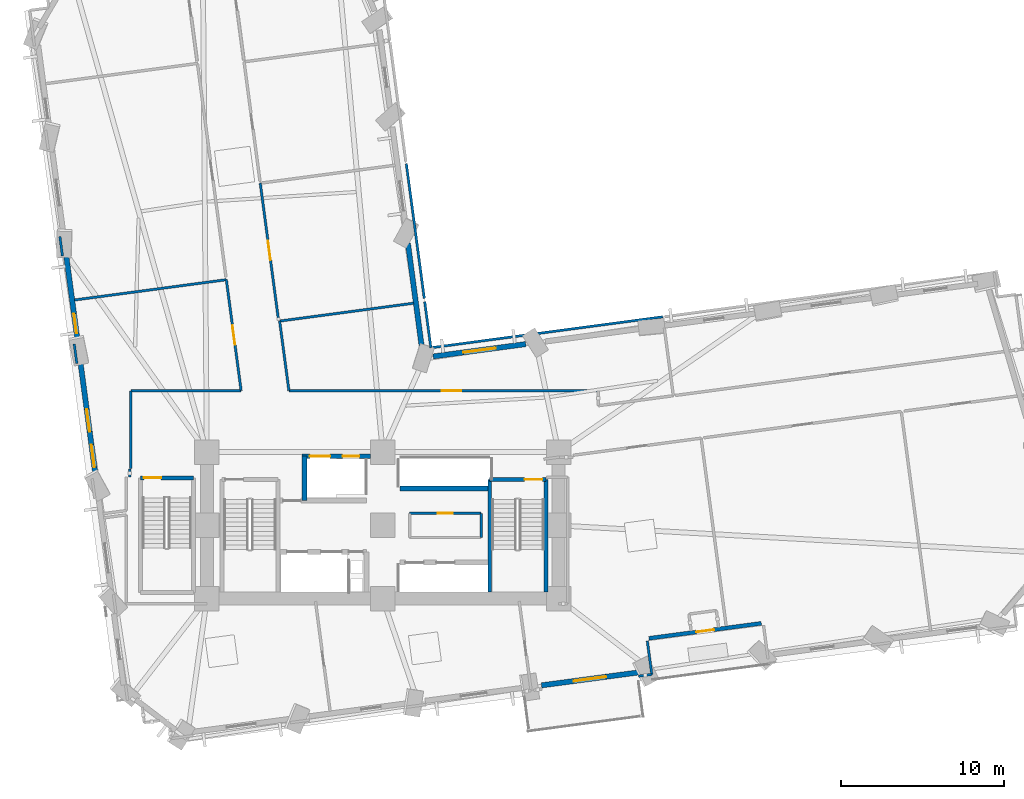
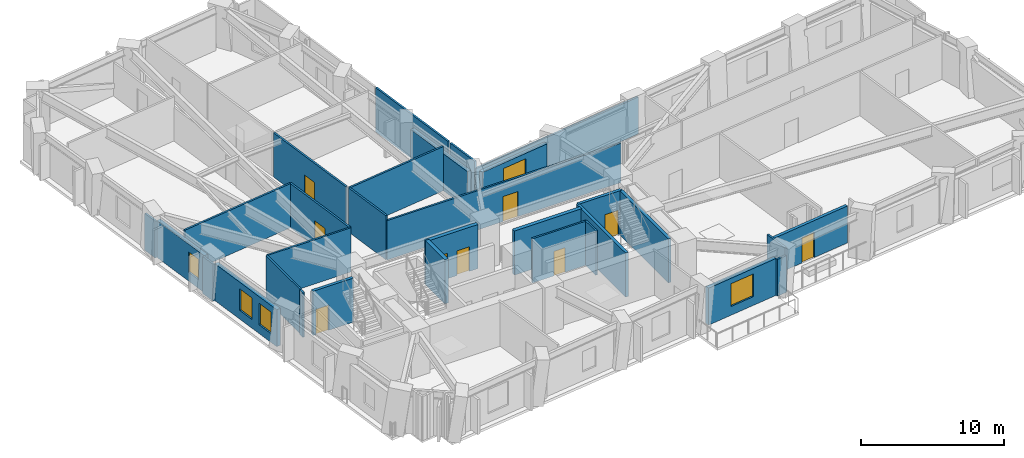
# One storey, part 7 of 14: 31 walls, 9 doors, 5 windows, 14 openings.
"""IFC4 building model written with IfcOpenShell, lengths in metres."""

from ifc_helpers import new_model, si_unit, direction, frame, frame_2d, origin, place, context, subcontext, project, spatial, rectangle, extrude, material, layer, layer_set, type_object, element, fill, save


model = new_model("IFC4")

# Units and contexts
model_context = context("Model", 3, precision=1e-05, world=origin(), true_north=direction((0.0, 1.0)))
body_context = subcontext(model_context, "Body", "Model", "MODEL_VIEW")
ifc_project = project(units=[si_unit("LENGTHUNIT", "METRE"), si_unit("AREAUNIT", "SQUARE_METRE"), si_unit("VOLUMEUNIT", "CUBIC_METRE"), si_unit("PLANEANGLEUNIT", "RADIAN"), si_unit("MASSUNIT", "GRAM", prefix="KILO")], contexts=[model_context])

# Site, building, storey
site_placement = place(None, origin())
site = spatial("IfcSite", under=ifc_project, at=site_placement, CompositionType="ELEMENT")
building_placement = place(site_placement, origin())
building = spatial("IfcBuilding", under=site, at=building_placement, Name="Gaonmaruhae Medical Tower", CompositionType="ELEMENT")
storey_placement = place(building_placement, frame((0.0, 0.0, 55.0)))
storey = spatial("IfcBuildingStorey", under=building, at=storey_placement, Name="L12", CompositionType="ELEMENT", Elevation=55.0)

# Wall, opening, door
ifc_material_1 = material(Name="Precast concrete C45/55", Category="concrete")
ifc_layer_1 = layer(ifc_material_1, 0.239990234375)
ifc_layer_set_1 = layer_set([ifc_layer_1], Name="Precast concrete C45/55")
wall_type_1 = type_object("IfcWallType", Name="EW-240 Ribbon & Shelter Insulated Precast Wall", PredefinedType="SOLIDWALL", material=ifc_layer_set_1)
wall_1_placement = place(storey_placement, frame((48.047119140625, 6.2880859375, 0.0), z_axis=(0.0, 0.0, 1.0), x_axis=(-0.991216868142, -0.132246437799, 0.0)))
wall_1 = element("IfcWall", 1, at=wall_1_placement, inside=storey, type_object=wall_type_1, Name="L12 Recessed Terrace Enclosure Wall TERB", PredefinedType="SOLIDWALL", context=body_context, shape_type="SweptSolid", body=[
    extrude(rectangle(XDim=6.959716796875, YDim=0.239990234375, at=frame_2d((3.47998046875, 0.0))), origin(), (0.0, 0.0, 1.0), 3.1650390625),
])
opening_1_placement = place(wall_1_placement, frame((2.929931640625, 0.0, 0.0)))
opening_1 = element("IfcOpeningElement", 2, at=opening_1_placement, cuts=wall_1, Name="Opening TD-01", PredefinedType="OPENING", context=body_context, shape_type="SweptSolid", body=[
    extrude(rectangle(XDim=1.10009765625, YDim=2.14990234375, at=frame_2d((0.550048828125, 1.074951171875))), frame((0.0, 0.1298828125, 0.0), z_axis=(0.0, -1.0, 0.0), x_axis=(1.0, 0.0, 0.0)), (0.0, 0.0, 1.0), 0.260009765625),
])
ifc_material_2 = material(Name="Anodised aluminium and toughened safety glass", Category="aluminium")
door_type_1 = type_object("IfcDoorType", Name="TD-01 Terrace & Sky Garden Glazed Door 1100x2150", OperationType="NOTDEFINED", PredefinedType="DOOR", material=ifc_material_2)
door_1_placement = place(opening_1_placement, origin())
door_1 = element("IfcDoor", 3, at=door_1_placement, inside=storey, type_object=door_type_1, Name="L12 Outdoor Terrace Access Door SLB-L12-TER", OperationType="SINGLE_SWING_RIGHT", OverallHeight=2.14990234375, OverallWidth=1.10009765625, PredefinedType="DOOR", context=body_context, shape_type="SweptSolid", body=[
    extrude(rectangle(XDim=1.10009765625, YDim=2.14990234375, at=frame_2d((0.550048828125, 1.074951171875))), frame((0.0, 0.02490234375, 0.0), z_axis=(0.0, -1.0, 0.0), x_axis=(1.0, 0.0, 0.0)), (0.0, 0.0, 1.0), 0.050048828125),
])
fill(opening_1, door_1)

# Wall, opening, window
ifc_layer_2 = layer(ifc_material_1, 0.320068359375)
ifc_layer_set_2 = layer_set([ifc_layer_2], Name="Precast concrete C45/55")
wall_type_2 = type_object("IfcWallType", Name="EW-320 Lower Precast Masonry-Frame Facade Wall", PredefinedType="SOLIDWALL", material=ifc_layer_set_2)
wall_2_placement = place(storey_placement, frame((40.485107421875, 3.271484375, 0.0), z_axis=(0.0, 0.0, 1.0), x_axis=(-0.991217209888, -0.132243876315, 0.0)))
wall_2 = element("IfcWall", 4, at=wall_2_placement, inside=storey, type_object=wall_type_2, Name="L12 Precast Masonry-Frame Wall S04-S05", PredefinedType="SOLIDWALL", context=body_context, shape_type="SweptSolid", body=[
    extrude(rectangle(XDim=5.985107421875, YDim=0.320068359375, at=frame_2d((2.99267578125, 0.0))), origin(), (0.0, 0.0, 1.0), 3.1650390625),
])
opening_2_placement = place(wall_2_placement, frame((1.992919921875, 0.0, 0.75)))
opening_2 = element("IfcOpeningElement", 5, at=opening_2_placement, cuts=wall_2, Name="Opening WN-02", PredefinedType="OPENING", context=body_context, shape_type="SweptSolid", body=[
    extrude(rectangle(XDim=2.0, YDim=1.949951171875, at=frame_2d((1.0, 0.97509765625))), frame((0.0, 0.169921875, 0.0), z_axis=(0.0, -1.0, 0.0), x_axis=(1.0, 0.0, 0.0)), (0.0, 0.0, 1.0), 0.340087890625),
])
ifc_material_3 = material(Name="Anodised aluminium and Low-E double glazing", Category="aluminium")
window_type_1 = type_object("IfcWindowType", Name="WN-02 Double-Bed Ward Punched Window 2000x1950", PartitioningType="SINGLE_PANEL", PredefinedType="WINDOW", material=ifc_material_3)
window_1_placement = place(opening_2_placement, origin())
window_1 = element("IfcWindow", 6, at=window_1_placement, inside=storey, type_object=window_type_1, Name="L12 Modular Facade Window S04", OverallHeight=1.949951171875, OverallWidth=2.0, PartitioningType="SINGLE_PANEL", PredefinedType="WINDOW", context=body_context, shape_type="SweptSolid", body=[
    extrude(rectangle(XDim=2.0, YDim=1.949951171875, at=frame_2d((1.0, 0.97509765625))), frame((0.0, 0.030029296875, 0.0), z_axis=(0.0, -1.0, 0.0), x_axis=(1.0, 0.0, 0.0)), (0.0, 0.0, 1.0), 0.06005859375),
])
fill(opening_2, window_1)

wall_3_placement = place(storey_placement, frame((27.897705078125, 22.67724609375, 0.0), z_axis=(0.0, 0.0, 1.0), x_axis=(0.991217861457, 0.132238992466, 0.0)))
wall_3 = element("IfcWall", 7, at=wall_3_placement, inside=storey, type_object=wall_type_2, Name="L12 Precast Masonry-Frame Wall EN04-KN01", PredefinedType="SOLIDWALL", context=body_context, shape_type="SweptSolid", body=[
    extrude(rectangle(XDim=5.736083984375, YDim=0.320068359375, at=frame_2d((2.8681640625, 0.0))), origin(), (0.0, 0.0, 1.0), 3.1650390625),
])
opening_3_placement = place(wall_3_placement, frame((1.86865234375, 0.0, 0.75)))
opening_3 = element("IfcOpeningElement", 8, at=opening_3_placement, cuts=wall_3, Name="Opening WN-02", PredefinedType="OPENING", context=body_context, shape_type="SweptSolid", body=[
    extrude(rectangle(XDim=2.0, YDim=1.949951171875, at=frame_2d((1.0, 0.97509765625))), frame((0.0, 0.169921875, 0.0), z_axis=(0.0, -1.0, 0.0), x_axis=(1.0, 0.0, 0.0)), (0.0, 0.0, 1.0), 0.340087890625),
])
window_2_placement = place(opening_3_placement, origin())
window_2 = element("IfcWindow", 9, at=window_2_placement, inside=storey, type_object=window_type_1, Name="L12 Modular Facade Window EN04", OverallHeight=1.949951171875, OverallWidth=2.0, PartitioningType="SINGLE_PANEL", PredefinedType="WINDOW", context=body_context, shape_type="SweptSolid", body=[
    extrude(rectangle(XDim=2.0, YDim=1.949951171875, at=frame_2d((1.0, 0.97509765625))), frame((0.0, 0.030029296875, 0.0), z_axis=(0.0, -1.0, 0.0), x_axis=(1.0, 0.0, 0.0)), (0.0, 0.0, 1.0), 0.06005859375),
])
fill(opening_3, window_2)

# Wall
wall_4_placement = place(storey_placement, frame((27.212890625, 23.144287109375, 0.0), z_axis=(0.0, 0.0, 1.0), x_axis=(-0.132264032009, 0.991214520594, 0.0)))
element("IfcWall", 10, at=wall_4_placement, inside=storey, type_object=wall_type_2, Name="L12 Precast Masonry-Frame Wall KN01-NE01", PredefinedType="SOLIDWALL", context=body_context, shape_type="SweptSolid", body=[
    extrude(rectangle(XDim=6.5361328125, YDim=0.320068359375, at=frame_2d((3.26806640625, 0.0))), origin(), (0.0, 0.0, 1.0), 3.1650390625),
])

# Wall, opening, window
wall_5_placement = place(storey_placement, frame((6.0830078125, 23.47900390625, 0.0), z_axis=(0.0, 0.0, 1.0), x_axis=(-0.132257820525, 0.991215349412, 0.0)))
wall_5 = element("IfcWall", 11, at=wall_5_placement, inside=storey, type_object=wall_type_2, Name="L12 Precast Masonry-Frame Wall W03-W04", PredefinedType="SOLIDWALL", context=body_context, shape_type="SweptSolid", body=[
    extrude(rectangle(XDim=5.438232421875, YDim=0.320068359375, at=frame_2d((2.71923828125, 0.0))), origin(), (0.0, 0.0, 1.0), 3.1650390625),
])
opening_4_placement = place(wall_5_placement, frame((0.6298828125, 0.0, 0.75)))
opening_4 = element("IfcOpeningElement", 12, at=opening_4_placement, cuts=wall_5, Name="Opening WN-05", PredefinedType="OPENING", context=body_context, shape_type="SweptSolid", body=[
    extrude(rectangle(XDim=1.199951171875, YDim=1.75, at=frame_2d((0.60009765625, 0.875))), frame((0.0, 0.169921875, 0.0), z_axis=(0.0, -1.0, 0.0), x_axis=(1.0, 0.0, 0.0)), (0.0, 0.0, 1.0), 0.340087890625),
])
window_type_2 = type_object("IfcWindowType", Name="WN-05 Support & Staff Punched Window 1200x1750", PartitioningType="SINGLE_PANEL", PredefinedType="WINDOW", material=ifc_material_3)
window_3_placement = place(opening_4_placement, origin())
window_3 = element("IfcWindow", 13, at=window_3_placement, inside=storey, type_object=window_type_2, Name="L12 Modular Facade Window W03", OverallHeight=1.75, OverallWidth=1.199951171875, PartitioningType="SINGLE_PANEL", PredefinedType="WINDOW", context=body_context, shape_type="SweptSolid", body=[
    extrude(rectangle(XDim=1.199951171875, YDim=1.75, at=frame_2d((0.60009765625, 0.875))), frame((0.0, 0.030029296875, 0.0), z_axis=(0.0, -1.0, 0.0), x_axis=(1.0, 0.0, 0.0)), (0.0, 0.0, 1.0), 0.06005859375),
])
fill(opening_4, window_3)

# Wall, openings, windows
wall_6_placement = place(storey_placement, frame((7.1875, 15.20068359375, 0.0), z_axis=(0.0, 0.0, 1.0), x_axis=(-0.132257835748, 0.991215347381, 0.0)))
wall_6 = element("IfcWall", 14, at=wall_6_placement, inside=storey, type_object=wall_type_2, Name="L12 Precast Masonry-Frame Wall W04-W05", PredefinedType="SOLIDWALL", context=body_context, shape_type="SweptSolid", body=[
    extrude(rectangle(XDim=7.136474609375, YDim=0.320068359375, at=frame_2d((3.568359375, 0.0))), origin(), (0.0, 0.0, 1.0), 3.1650390625),
])
opening_5_placement = place(wall_6_placement, frame((2.86865234375, 0.0, 0.75)))
opening_5 = element("IfcOpeningElement", 15, at=opening_5_placement, cuts=wall_6, Name="Opening WN-03", PredefinedType="OPENING", context=body_context, shape_type="SweptSolid", body=[
    extrude(rectangle(XDim=1.39990234375, YDim=1.85009765625, at=frame_2d((0.699951171875, 0.925048828125))), frame((0.0, 0.169921875, 0.0), z_axis=(0.0, -1.0, 0.0), x_axis=(1.0, 0.0, 0.0)), (0.0, 0.0, 1.0), 0.340087890625),
])
opening_6_placement = place(wall_6_placement, frame((0.669921875, 0.0, 0.75)))
opening_6 = element("IfcOpeningElement", 16, at=opening_6_placement, cuts=wall_6, Name="Opening WN-03", PredefinedType="OPENING", context=body_context, shape_type="SweptSolid", body=[
    extrude(rectangle(XDim=1.39990234375, YDim=1.85009765625, at=frame_2d((0.699951171875, 0.925048828125))), frame((0.0, 0.169921875, 0.0), z_axis=(0.0, -1.0, 0.0), x_axis=(1.0, 0.0, 0.0)), (0.0, 0.0, 1.0), 0.340087890625),
])
window_type_3 = type_object("IfcWindowType", Name="WN-03 Isolation Ward Punched Window 1400x1850", PartitioningType="SINGLE_PANEL", PredefinedType="WINDOW", material=ifc_material_3)
window_4_placement = place(opening_5_placement, origin())
window_4 = element("IfcWindow", 17, at=window_4_placement, inside=storey, type_object=window_type_3, Name="L12 Modular Facade Window W04", OverallHeight=1.85009765625, OverallWidth=1.39990234375, PartitioningType="SINGLE_PANEL", PredefinedType="WINDOW", context=body_context, shape_type="SweptSolid", body=[
    extrude(rectangle(XDim=1.39990234375, YDim=1.85009765625, at=frame_2d((0.699951171875, 0.925048828125))), frame((0.0, 0.030029296875, 0.0), z_axis=(0.0, -1.0, 0.0), x_axis=(1.0, 0.0, 0.0)), (0.0, 0.0, 1.0), 0.06005859375),
])
fill(opening_5, window_4)
window_5_placement = place(opening_6_placement, origin())
window_5 = element("IfcWindow", 18, at=window_5_placement, inside=storey, type_object=window_type_3, Name="L12 Modular Facade Window W04B", OverallHeight=1.85009765625, OverallWidth=1.39990234375, PartitioningType="SINGLE_PANEL", PredefinedType="WINDOW", context=body_context, shape_type="SweptSolid", body=[
    extrude(rectangle(XDim=1.39990234375, YDim=1.85009765625, at=frame_2d((0.699951171875, 0.925048828125))), frame((0.0, 0.030029296875, 0.0), z_axis=(0.0, -1.0, 0.0), x_axis=(1.0, 0.0, 0.0)), (0.0, 0.0, 1.0), 0.06005859375),
])
fill(opening_6, window_5)

# Wall, opening, door
ifc_material_4 = material(Name="Gypsum board partition", Category="gypsum")
ifc_layer_3 = layer(ifc_material_4, 0.14990234375)
ifc_layer_set_3 = layer_set([ifc_layer_3], Name="Gypsum board partition")
wall_type_3 = type_object("IfcWallType", Name="PW-150 Rated Clinical Corridor Partition", PredefinedType="PARTITIONING", material=ifc_layer_set_3)
wall_7_placement = place(storey_placement, frame((26.449951171875, 13.0400390625, 0.0), z_axis=(0.0, 0.0, 1.0), x_axis=(1.0, 0.0, 0.0)))
wall_7 = element("IfcWall", 19, at=wall_7_placement, inside=storey, type_object=wall_type_3, Name="L12 Interior Partition L12-CS1-2", PredefinedType="PARTITIONING", context=body_context, shape_type="SweptSolid", body=[
    extrude(rectangle(XDim=4.400146484375, YDim=0.14990234375, at=frame_2d((2.2001953125, 0.0))), origin(), (0.0, 0.0, 1.0), 3.780029296875),
])
opening_7_placement = place(wall_7_placement, frame((1.739990234375, 0.0, 0.0)))
opening_7 = element("IfcOpeningElement", 20, at=opening_7_placement, cuts=wall_7, Name="Opening UD-01", PredefinedType="OPENING", context=body_context, shape_type="SweptSolid", body=[
    extrude(rectangle(XDim=0.919921875, YDim=2.10009765625, at=frame_2d((0.4599609375, 1.050048828125))), frame((0.0, 0.0849609375, 0.0), z_axis=(0.0, -1.0, 0.0), x_axis=(1.0, 0.0, 0.0)), (0.0, 0.0, 1.0), 0.169921875),
])
ifc_material_5 = material(Name="Powder-coated steel utility door", Category="steel")
door_type_2 = type_object("IfcDoorType", Name="UD-01 Toilet, Utility & Housekeeping Door 920x2100", OperationType="NOTDEFINED", PredefinedType="DOOR", material=ifc_material_5)
door_2_placement = place(opening_7_placement, origin())
door_2 = element("IfcDoor", 21, at=door_2_placement, inside=storey, type_object=door_type_2, Name="L12 Clean Linen Utility Store Door", OperationType="SINGLE_SWING_RIGHT", OverallHeight=2.10009765625, OverallWidth=0.919921875, PredefinedType="DOOR", context=body_context, shape_type="SweptSolid", body=[
    extrude(rectangle(XDim=0.919921875, YDim=2.10009765625, at=frame_2d((0.4599609375, 1.050048828125))), frame((0.0, 0.02490234375, 0.0), z_axis=(0.0, -1.0, 0.0), x_axis=(1.0, 0.0, 0.0)), (0.0, 0.0, 1.0), 0.050048828125),
])
fill(opening_7, door_2)

# Walls
wall_8_placement = place(storey_placement, frame((30.85009765625, 13.0400390625, 0.0), z_axis=(0.0, 0.0, 1.0), x_axis=(0.0, -1.0, 0.0)))
element("IfcWall", 22, at=wall_8_placement, inside=storey, type_object=wall_type_3, Name="L12 Interior Partition L12-CS1-3", PredefinedType="PARTITIONING", context=body_context, shape_type="SweptSolid", body=[
    extrude(rectangle(XDim=1.47998046875, YDim=0.14990234375, at=frame_2d((0.739990234375, 0.0))), origin(), (0.0, 0.0, 1.0), 3.780029296875),
])
wall_9_placement = place(storey_placement, frame((41.048095703125, 5.212890625, 0.0), z_axis=(0.0, 0.0, 1.0), x_axis=(0.132148345288, -0.991229950535, 0.0)))
element("IfcWall", 23, at=wall_9_placement, inside=storey, type_object=wall_type_3, Name="L12 Interior Partition L12-SUP03-29", PredefinedType="PARTITIONING", context=body_context, shape_type="SweptSolid", body=[
    extrude(rectangle(XDim=2.080322265625, YDim=0.14990234375, at=frame_2d((1.0400390625, 0.0))), origin(), (0.0, 0.0, 1.0), 3.780029296875),
])
wall_10_placement = place(storey_placement, frame((41.322998046875, 3.15087890625, 0.0), z_axis=(0.0, 0.0, 1.0), x_axis=(-0.991175438227, -0.132556594159, 0.0)))
element("IfcWall", 24, at=wall_10_placement, inside=storey, type_object=wall_type_3, Name="L12 Interior Partition L12-SUP03-30", PredefinedType="PARTITIONING", context=body_context, shape_type="SweptSolid", body=[
    extrude(rectangle(XDim=0.81396484375, YDim=0.14990234375, at=frame_2d((0.406982421875, 0.0))), origin(), (0.0, 0.0, 1.0), 3.14501953125),
])
wall_11_placement = place(storey_placement, frame((9.320068359375, 20.550048828125, 0.0), z_axis=(0.0, 0.0, 1.0), x_axis=(0.0, -1.0, 0.0)))
element("IfcWall", 25, at=wall_11_placement, inside=storey, type_object=wall_type_3, Name="L12 Interior Partition L12-WOF06-46", PredefinedType="PARTITIONING", context=body_context, shape_type="SweptSolid", body=[
    extrude(rectangle(XDim=4.760009765625, YDim=0.14990234375, at=frame_2d((2.3798828125, 0.0))), origin(), (0.0, 0.0, 1.0), 3.780029296875),
])
wall_12_placement = place(storey_placement, frame((9.260009765625, 15.758056640625, 0.0), z_axis=(0.0, 0.0, 1.0), x_axis=(0.0, -1.0, 0.0)))
element("IfcWall", 26, at=wall_12_placement, inside=storey, type_object=wall_type_3, Name="L12 Interior Partition L12-WOF06-47", PredefinedType="PARTITIONING", context=body_context, shape_type="SweptSolid", body=[
    extrude(rectangle(XDim=0.498046875, YDim=0.14990234375, at=frame_2d((0.2490234375, 0.0))), origin(), (0.0, 0.0, 1.0), 3.780029296875),
])
wall_13_placement = place(storey_placement, frame((6.01611328125, 22.243896484375, 0.0), z_axis=(0.0, 0.0, 1.0), x_axis=(-0.132532001564, 0.991178726851, 0.0)))
element("IfcWall", 27, at=wall_13_placement, inside=storey, type_object=wall_type_3, Name="L12 Interior Partition L12-WOF06-51", PredefinedType="PARTITIONING", context=body_context, shape_type="SweptSolid", body=[
    extrude(rectangle(XDim=1.2158203125, YDim=0.14990234375, at=frame_2d((0.60791015625, 0.0))), origin(), (0.0, 0.0, 1.0), 3.1650390625),
])
wall_14_placement = place(storey_placement, frame((5.864013671875, 26.14306640625, 0.0), z_axis=(0.0, 0.0, 1.0), x_axis=(0.991205918813, 0.132328479586, 0.0)))
element("IfcWall", 28, at=wall_14_placement, inside=storey, type_object=wall_type_3, Name="L12 Interior Partition L12-WOF06-52", PredefinedType="PARTITIONING", context=body_context, shape_type="SweptSolid", body=[
    extrude(rectangle(XDim=9.414794921875, YDim=0.14990234375, at=frame_2d((4.70751953125, 0.0))), origin(), (0.0, 0.0, 1.0), 3.780029296875),
])

# Wall, opening, door
wall_15_placement = place(storey_placement, frame((15.196044921875, 27.388916015625, 0.0), z_axis=(0.0, 0.0, 1.0), x_axis=(0.132180016539, -0.991225727687, 0.0)))
wall_15 = element("IfcWall", 29, at=wall_15_placement, inside=storey, type_object=wall_type_3, Name="L12 Interior Partition L12-WOF06-53", PredefinedType="PARTITIONING", context=body_context, shape_type="SweptSolid", body=[
    extrude(rectangle(XDim=6.869140625, YDim=0.14990234375, at=frame_2d((3.4345703125, 0.0))), origin(), (0.0, 0.0, 1.0), 3.780029296875),
])
opening_8_placement = place(wall_15_placement, frame((2.834716796875, 0.0, 0.0)))
opening_8 = element("IfcOpeningElement", 30, at=opening_8_placement, cuts=wall_15, Name="Opening CD-02", PredefinedType="OPENING", context=body_context, shape_type="SweptSolid", body=[
    extrude(rectangle(XDim=1.199951171875, YDim=2.14990234375, at=frame_2d((0.60009765625, 1.074951171875))), frame((0.0, 0.0849609375, 0.0), z_axis=(0.0, -1.0, 0.0), x_axis=(1.0, 0.0, 0.0)), (0.0, 0.0, 1.0), 0.169921875),
])
ifc_material_6 = material(Name="Antimicrobial laminate timber fire door", Category="wood")
door_type_3 = type_object("IfcDoorType", Name="CD-02 Clinical Treatment & Procedure Door 1200x2150", OperationType="NOTDEFINED", PredefinedType="DOOR", material=ifc_material_6)
door_3_placement = place(opening_8_placement, origin())
door_3 = element("IfcDoor", 31, at=door_3_placement, inside=storey, type_object=door_type_3, Name="L12 Ward Physician Reporting Office Door", OperationType="SINGLE_SWING_LEFT", OverallHeight=2.14990234375, OverallWidth=1.199951171875, PredefinedType="DOOR", context=body_context, shape_type="SweptSolid", body=[
    extrude(rectangle(XDim=1.199951171875, YDim=2.14990234375, at=frame_2d((0.60009765625, 1.074951171875))), frame((0.0, 0.02490234375, 0.0), z_axis=(0.0, -1.0, 0.0), x_axis=(1.0, 0.0, 0.0)), (0.0, 0.0, 1.0), 0.050048828125),
])
fill(opening_8, door_3)

# Walls
wall_16_placement = place(storey_placement, frame((16.10400390625, 20.580078125, 0.0), z_axis=(0.0, 0.0, 1.0), x_axis=(-1.0, 0.0, 0.0)))
element("IfcWall", 32, at=wall_16_placement, inside=storey, type_object=wall_type_3, Name="L12 Interior Partition L12-WOF06-54", PredefinedType="PARTITIONING", context=body_context, shape_type="SweptSolid", body=[
    extrude(rectangle(XDim=6.757080078125, YDim=0.14990234375, at=frame_2d((3.37841796875, 0.0))), origin(), (0.0, 0.0, 1.0), 3.780029296875),
])
wall_17_placement = place(storey_placement, frame((5.135986328125, 28.839111328125, 0.0), z_axis=(0.0, 0.0, 1.0), x_axis=(-0.132441852049, 0.991190776705, 0.0)))
element("IfcWall", 33, at=wall_17_placement, inside=storey, type_object=wall_type_3, Name="L12 Interior Partition L12-WOF07-57", PredefinedType="PARTITIONING", context=body_context, shape_type="SweptSolid", body=[
    extrude(rectangle(XDim=1.20751953125, YDim=0.14990234375, at=frame_2d((0.603759765625, 0.0))), origin(), (0.0, 0.0, 1.0), 3.1650390625),
])

# Wall, opening, door
wall_18_placement = place(storey_placement, frame((38.0, 20.580078125, 0.0), z_axis=(0.0, 0.0, 1.0), x_axis=(-1.0, 0.0, 0.0)))
wall_18 = element("IfcWall", 34, at=wall_18_placement, inside=storey, type_object=wall_type_3, Name="L12 Interior Partition L12-IE01-69", PredefinedType="PARTITIONING", context=body_context, shape_type="SweptSolid", body=[
    extrude(rectangle(XDim=18.9599609375, YDim=0.14990234375, at=frame_2d((9.47998046875, 0.0))), origin(), (0.0, 0.0, 1.0), 3.364990234375),
])
opening_9_placement = place(wall_18_placement, frame((8.364013671875, 0.0, 0.0)))
opening_9 = element("IfcOpeningElement", 35, at=opening_9_placement, cuts=wall_18, Name="Opening CD-02", PredefinedType="OPENING", context=body_context, shape_type="SweptSolid", body=[
    extrude(rectangle(XDim=1.199951171875, YDim=2.14990234375, at=frame_2d((0.60009765625, 1.074951171875))), frame((0.0, 0.0849609375, 0.0), z_axis=(0.0, -1.0, 0.0), x_axis=(1.0, 0.0, 0.0)), (0.0, 0.0, 1.0), 0.169921875),
])
door_4_placement = place(opening_9_placement, origin())
door_4 = element("IfcDoor", 36, at=door_4_placement, inside=storey, type_object=door_type_3, Name="L12 Central Clinical Nurse Station Door", OperationType="SINGLE_SWING_LEFT", OverallHeight=2.14990234375, OverallWidth=1.199951171875, PredefinedType="DOOR", context=body_context, shape_type="SweptSolid", body=[
    extrude(rectangle(XDim=1.199951171875, YDim=2.14990234375, at=frame_2d((0.60009765625, 1.074951171875))), frame((0.0, 0.02490234375, 0.0), z_axis=(0.0, -1.0, 0.0), x_axis=(1.0, 0.0, 0.0)), (0.0, 0.0, 1.0), 0.050048828125),
])
fill(opening_9, door_4)

# Walls
wall_19_placement = place(storey_placement, frame((19.0400390625, 20.580078125, 0.0), z_axis=(0.0, 0.0, 1.0), x_axis=(-0.132137728125, 0.991231365931, 0.0)))
element("IfcWall", 37, at=wall_19_placement, inside=storey, type_object=wall_type_3, Name="L12 Interior Partition L12-IE01-70", PredefinedType="PARTITIONING", context=body_context, shape_type="SweptSolid", body=[
    extrude(rectangle(XDim=4.306884765625, YDim=0.14990234375, at=frame_2d((2.1533203125, 0.0))), origin(), (0.0, 0.0, 1.0), 3.780029296875),
])
wall_20_placement = place(storey_placement, frame((18.470947265625, 24.84912109375, 0.0), z_axis=(0.0, 0.0, 1.0), x_axis=(0.991223021829, 0.13220030634, 0.0)))
element("IfcWall", 38, at=wall_20_placement, inside=storey, type_object=wall_type_3, Name="L12 Interior Partition L12-IE01-71", PredefinedType="PARTITIONING", context=body_context, shape_type="SweptSolid", body=[
    extrude(rectangle(XDim=8.304931640625, YDim=0.14990234375, at=frame_2d((4.15234375, 0.0))), origin(), (0.0, 0.0, 1.0), 3.780029296875),
])
wall_21_placement = place(storey_placement, frame((27.382080078125, 26.0380859375, 0.0), z_axis=(0.0, 0.0, 1.0), x_axis=(0.132253490455, -0.991215927163, 0.0)))
element("IfcWall", 39, at=wall_21_placement, inside=storey, type_object=wall_type_3, Name="L12 Interior Partition L12-IE01-72", PredefinedType="PARTITIONING", context=body_context, shape_type="SweptSolid", body=[
    extrude(rectangle(XDim=2.850341796875, YDim=0.14990234375, at=frame_2d((1.42529296875, 0.0))), origin(), (0.0, 0.0, 1.0), 3.780029296875),
])
wall_22_placement = place(storey_placement, frame((27.759033203125, 23.212890625, 0.0), z_axis=(0.0, 0.0, 1.0), x_axis=(0.991206665462, 0.132322886697, 0.0)))
element("IfcWall", 40, at=wall_22_placement, inside=storey, type_object=wall_type_3, Name="L12 Interior Partition L12-IE01-73", PredefinedType="PARTITIONING", context=body_context, shape_type="SweptSolid", body=[
    extrude(rectangle(XDim=14.3671875, YDim=0.14990234375, at=frame_2d((7.18359375, 0.0))), origin(), (0.0, 0.0, 1.0), 3.1650390625),
])

# Wall, opening, door
wall_23_placement = place(storey_placement, frame((18.383056640625, 25.050048828125, 0.0), z_axis=(0.0, 0.0, 1.0), x_axis=(-0.132271109001, 0.991213576241, 0.0)))
wall_23 = element("IfcWall", 41, at=wall_23_placement, inside=storey, type_object=wall_type_3, Name="L12 Interior Partition L12-IN01-80", PredefinedType="PARTITIONING", context=body_context, shape_type="SweptSolid", body=[
    extrude(rectangle(XDim=8.339111328125, YDim=0.14990234375, at=frame_2d((4.16943359375, 0.0))), origin(), (0.0, 0.0, 1.0), 3.780029296875),
])
opening_10_placement = place(wall_23_placement, frame((3.569580078125, 0.0, 0.0)))
opening_10 = element("IfcOpeningElement", 42, at=opening_10_placement, cuts=wall_23, Name="Opening CD-02", PredefinedType="OPENING", context=body_context, shape_type="SweptSolid", body=[
    extrude(rectangle(XDim=1.199951171875, YDim=2.14990234375, at=frame_2d((0.60009765625, 1.074951171875))), frame((0.0, 0.0849609375, 0.0), z_axis=(0.0, -1.0, 0.0), x_axis=(1.0, 0.0, 0.0)), (0.0, 0.0, 1.0), 0.169921875),
])
door_5_placement = place(opening_10_placement, origin())
door_5 = element("IfcDoor", 43, at=door_5_placement, inside=storey, type_object=door_type_3, Name="L12 Physician Consultation Office Door", OperationType="SINGLE_SWING_LEFT", OverallHeight=2.14990234375, OverallWidth=1.199951171875, PredefinedType="DOOR", context=body_context, shape_type="SweptSolid", body=[
    extrude(rectangle(XDim=1.199951171875, YDim=2.14990234375, at=frame_2d((0.60009765625, 1.074951171875))), frame((0.0, 0.02490234375, 0.0), z_axis=(0.0, -1.0, 0.0), x_axis=(1.0, 0.0, 0.0)), (0.0, 0.0, 1.0), 0.050048828125),
])
fill(opening_10, door_5)

# Wall
wall_24_placement = place(storey_placement, frame((26.2509765625, 34.512939453125, 0.0), z_axis=(0.0, 0.0, 1.0), x_axis=(0.132271109001, -0.991213576241, 0.0)))
element("IfcWall", 44, at=wall_24_placement, inside=storey, type_object=wall_type_3, Name="L12 Interior Partition L12-IN01-82", PredefinedType="PARTITIONING", context=body_context, shape_type="SweptSolid", body=[
    extrude(rectangle(XDim=8.339111328125, YDim=0.14990234375, at=frame_2d((4.16943359375, 0.0))), origin(), (0.0, 0.0, 1.0), 3.780029296875),
])

# Wall, opening, door
ifc_material_7 = material(Name="Concrete C50/60", Category="concrete")
ifc_layer_4 = layer(ifc_material_7, 0.239990234375)
ifc_layer_set_4 = layer_set([ifc_layer_4], Name="Concrete C50/60")
wall_type_4 = type_object("IfcWallType", Name="SW-240 Dogleg Stair Tight Shaft Wall", PredefinedType="SOLIDWALL", material=ifc_layer_set_4)
wall_25_placement = place(storey_placement, frame((31.3701171875, 15.1201171875, 0.0), z_axis=(0.0, 0.0, 1.0), x_axis=(1.0, 0.0, 0.0)))
wall_25 = element("IfcWall", 45, at=wall_25_placement, inside=storey, type_object=wall_type_4, Name="L12 ST-02 Stair Shaft Wall SHW-ST-02-N", PredefinedType="SOLIDWALL", context=body_context, shape_type="SweptSolid", body=[
    extrude(rectangle(XDim=3.4599609375, YDim=0.239990234375, at=frame_2d((1.72998046875, 0.0))), origin(), (0.0, 0.0, 1.0), 3.780029296875),
])
opening_11_placement = place(wall_25_placement, frame((2.139892578125, 0.0, 0.0)))
opening_11 = element("IfcOpeningElement", 46, at=opening_11_placement, cuts=wall_25, Name="Opening FD-01", PredefinedType="OPENING", context=body_context, shape_type="SweptSolid", body=[
    extrude(rectangle(XDim=1.10009765625, YDim=2.14990234375, at=frame_2d((0.550048828125, 1.074951171875))), frame((0.0, 0.1298828125, 0.0), z_axis=(0.0, -1.0, 0.0), x_axis=(1.0, 0.0, 0.0)), (0.0, 0.0, 1.0), 0.260009765625),
])
ifc_material_8 = material(Name="Powder-coated steel fire door", Category="steel")
door_type_4 = type_object("IfcDoorType", Name="FD-01 Escape Stair Protected Fire Door 1100x2150", OperationType="NOTDEFINED", PredefinedType="DOOR", material=ifc_material_8)
door_6_placement = place(opening_11_placement, origin())
door_6 = element("IfcDoor", 47, at=door_6_placement, inside=storey, type_object=door_type_4, Name="L12 ST-02 Protected Escape Stair Door", OperationType="SINGLE_SWING_RIGHT", OverallHeight=2.14990234375, OverallWidth=1.10009765625, PredefinedType="DOOR", context=body_context, shape_type="SweptSolid", body=[
    extrude(rectangle(XDim=1.10009765625, YDim=2.14990234375, at=frame_2d((0.550048828125, 1.074951171875))), frame((0.0, 0.02490234375, 0.0), z_axis=(0.0, -1.0, 0.0), x_axis=(1.0, 0.0, 0.0)), (0.0, 0.0, 1.0), 0.050048828125),
])
fill(opening_11, door_6)

# Walls
for number, where, z_axis, x_axis, name in (
    (48, (34.830078125, 15.1201171875, 0.0), (0.0, 0.0, 1.0), (0.0, -1.0, 0.0), "L12 ST-02 Stair Shaft Wall SHW-ST-02-E"),
    (49, (31.3701171875, 8.199951171875, 0.0), (0.0, 0.0, 1.0), (0.0, 1.0, 0.0), "L12 ST-02 Stair Shaft Wall SHW-ST-02-W"),
):
    element("IfcWall", number, at=place(storey_placement, frame(where, z_axis=z_axis, x_axis=x_axis)), inside=storey, type_object=wall_type_4, Name=name, PredefinedType="SOLIDWALL", context=body_context, shape_type="SweptSolid", body=[
        extrude(rectangle(XDim=6.920166015625, YDim=0.239990234375, at=frame_2d((3.4599609375, 0.0))), origin(), (0.0, 0.0, 1.0), 3.780029296875),
    ])

# Wall, opening, door
wall_26_placement = place(storey_placement, frame((9.919921875, 15.219970703125, 0.0), z_axis=(0.0, 0.0, 1.0), x_axis=(1.0, 0.0, 0.0)))
wall_26 = element("IfcWall", 50, at=wall_26_placement, inside=storey, type_object=wall_type_4, Name="L12 ST-03 Stair Shaft Wall SHW-ST-03-N", PredefinedType="SOLIDWALL", context=body_context, shape_type="SweptSolid", body=[
    extrude(rectangle(XDim=3.260009765625, YDim=0.239990234375, at=frame_2d((1.6298828125, 0.0))), origin(), (0.0, 0.0, 1.0), 3.780029296875),
])
opening_12_placement = place(wall_26_placement, frame((0.219970703125, 0.0, 0.0)))
opening_12 = element("IfcOpeningElement", 51, at=opening_12_placement, cuts=wall_26, Name="Opening FD-02", PredefinedType="OPENING", context=body_context, shape_type="SweptSolid", body=[
    extrude(rectangle(XDim=1.050048828125, YDim=2.14990234375, at=frame_2d((0.52490234375, 1.074951171875))), frame((0.0, 0.1298828125, 0.0), z_axis=(0.0, -1.0, 0.0), x_axis=(1.0, 0.0, 0.0)), (0.0, 0.0, 1.0), 0.260009765625),
])
door_type_5 = type_object("IfcDoorType", Name="FD-02 Secondary Stair Fire Door 1050x2150", OperationType="NOTDEFINED", PredefinedType="DOOR", material=ifc_material_8)
door_7_placement = place(opening_12_placement, origin())
door_7 = element("IfcDoor", 52, at=door_7_placement, inside=storey, type_object=door_type_5, Name="L12 ST-03 Protected Escape Stair Door", OperationType="SINGLE_SWING_LEFT", OverallHeight=2.14990234375, OverallWidth=1.050048828125, PredefinedType="DOOR", context=body_context, shape_type="SweptSolid", body=[
    extrude(rectangle(XDim=1.050048828125, YDim=2.14990234375, at=frame_2d((0.52490234375, 1.074951171875))), frame((0.0, 0.02490234375, 0.0), z_axis=(0.0, -1.0, 0.0), x_axis=(1.0, 0.0, 0.0)), (0.0, 0.0, 1.0), 0.050048828125),
])
fill(opening_12, door_7)

# Wall, openings, doors
ifc_layer_5 = layer(ifc_material_7, 0.300048828125)
ifc_layer_set_5 = layer_set([ifc_layer_5], Name="Concrete C50/60")
wall_type_5 = type_object("IfcWallType", Name="SW-300 Stair & Lift Hoistway Shaft Wall", PredefinedType="SOLIDWALL", material=ifc_layer_set_5)
wall_27_placement = place(storey_placement, frame((19.85009765625, 16.550048828125, 0.0), z_axis=(0.0, 0.0, 1.0), x_axis=(1.0, 0.0, 0.0)))
wall_27 = element("IfcWall", 53, at=wall_27_placement, inside=storey, type_object=wall_type_5, Name="L12 Core Shear Wall CSW-NB", PredefinedType="SOLIDWALL", context=body_context, shape_type="SweptSolid", body=[
    extrude(rectangle(XDim=4.199951171875, YDim=0.300048828125, at=frame_2d((2.10009765625, 0.0))), origin(), (0.0, 0.0, 1.0), 3.780029296875),
])
opening_13_placement = place(wall_27_placement, frame((0.47509765625, 0.0, 0.0)))
opening_13 = element("IfcOpeningElement", 54, at=opening_13_placement, cuts=wall_27, Name="Opening LD-F1", PredefinedType="OPENING", context=body_context, shape_type="SweptSolid", body=[
    extrude(rectangle(XDim=1.25, YDim=2.179931640625, at=frame_2d((0.625, 1.08984375))), frame((0.0, 0.16015625, 0.0), z_axis=(0.0, -1.0, 0.0), x_axis=(1.0, 0.0, 0.0)), (0.0, 0.0, 1.0), 0.320068359375),
])
opening_14_placement = place(wall_27_placement, frame((2.489990234375, 0.0, 0.0)))
opening_14 = element("IfcOpeningElement", 55, at=opening_14_placement, cuts=wall_27, Name="Opening LD-S1", PredefinedType="OPENING", context=body_context, shape_type="SweptSolid", body=[
    extrude(rectangle(XDim=1.02001953125, YDim=2.1201171875, at=frame_2d((0.510009765625, 1.06005859375))), frame((0.0, 0.16015625, 0.0), z_axis=(0.0, -1.0, 0.0), x_axis=(1.0, 0.0, 0.0)), (0.0, 0.0, 1.0), 0.320068359375),
])
ifc_material_9 = material(Name="Brushed stainless steel 316L landing door", Category="steel")
door_type_6 = type_object("IfcDoorType", Name="LD-F1 Firefighting & Bed Lift Sliding Landing Door 1250x2180", OperationType="NOTDEFINED", PredefinedType="DOOR", material=ifc_material_9)
door_8_placement = place(opening_13_placement, origin())
door_8 = element("IfcDoor", 56, at=door_8_placement, inside=storey, type_object=door_type_6, Name="L12 Service/Bed Lift Landing Door BDL-01", OperationType="DOUBLE_DOOR_SLIDING", OverallHeight=2.179931640625, OverallWidth=1.25, PredefinedType="DOOR", context=body_context, shape_type="SweptSolid", body=[
    extrude(rectangle(XDim=1.25, YDim=2.179931640625, at=frame_2d((0.625, 1.08984375))), frame((0.0, 0.02490234375, 0.0), z_axis=(0.0, -1.0, 0.0), x_axis=(1.0, 0.0, 0.0)), (0.0, 0.0, 1.0), 0.050048828125),
])
fill(opening_13, door_8)
ifc_material_10 = material(Name="Brushed stainless steel 304 landing door", Category="steel")
door_type_7 = type_object("IfcDoorType", Name="LD-S1 Service Lift Sliding Landing Door 1020x2120", OperationType="NOTDEFINED", PredefinedType="DOOR", material=ifc_material_10)
door_9_placement = place(opening_14_placement, origin())
door_9 = element("IfcDoor", 57, at=door_9_placement, inside=storey, type_object=door_type_7, Name="L12 Service/Bed Lift Landing Door SVL-01", OperationType="SLIDING_TO_LEFT", OverallHeight=2.1201171875, OverallWidth=1.02001953125, PredefinedType="DOOR", context=body_context, shape_type="SweptSolid", body=[
    extrude(rectangle(XDim=1.02001953125, YDim=2.1201171875, at=frame_2d((0.510009765625, 1.06005859375))), frame((0.0, 0.02490234375, 0.0), z_axis=(0.0, -1.0, 0.0), x_axis=(1.0, 0.0, 0.0)), (0.0, 0.0, 1.0), 0.050048828125),
])
fill(opening_14, door_9)

# Walls
wall_28_placement = place(storey_placement, frame((20.0, 13.820068359375, 0.0), z_axis=(0.0, 0.0, 1.0), x_axis=(0.0, 1.0, 0.0)))
element("IfcWall", 58, at=wall_28_placement, inside=storey, type_object=wall_type_5, Name="L12 Shaft Enclosure Wall SHW-BDW", PredefinedType="SOLIDWALL", context=body_context, shape_type="SweptSolid", body=[
    extrude(rectangle(XDim=2.72998046875, YDim=0.300048828125, at=frame_2d((1.364990234375, 0.0))), origin(), (0.0, 0.0, 1.0), 3.780029296875),
])
wall_29_placement = place(storey_placement, frame((25.85009765625, 14.580078125, 0.0), z_axis=(0.0, 0.0, 1.0), x_axis=(1.0, 0.0, 0.0)))
element("IfcWall", 59, at=wall_29_placement, inside=storey, type_object=wall_type_5, Name="L12 Shaft Enclosure Wall SHW-PLN", PredefinedType="SOLIDWALL", context=body_context, shape_type="SweptSolid", body=[
    extrude(rectangle(XDim=5.449951171875, YDim=0.300048828125, at=frame_2d((2.72509765625, 0.0))), origin(), (0.0, 0.0, 1.0), 3.780029296875),
])

save(model, "model.ifc")
